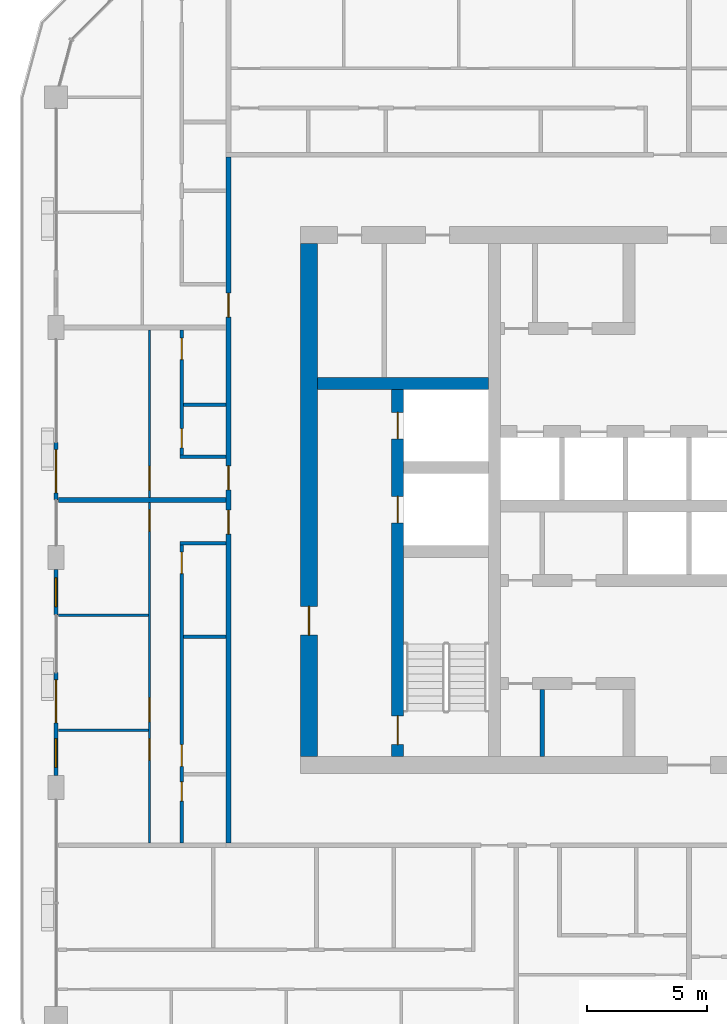
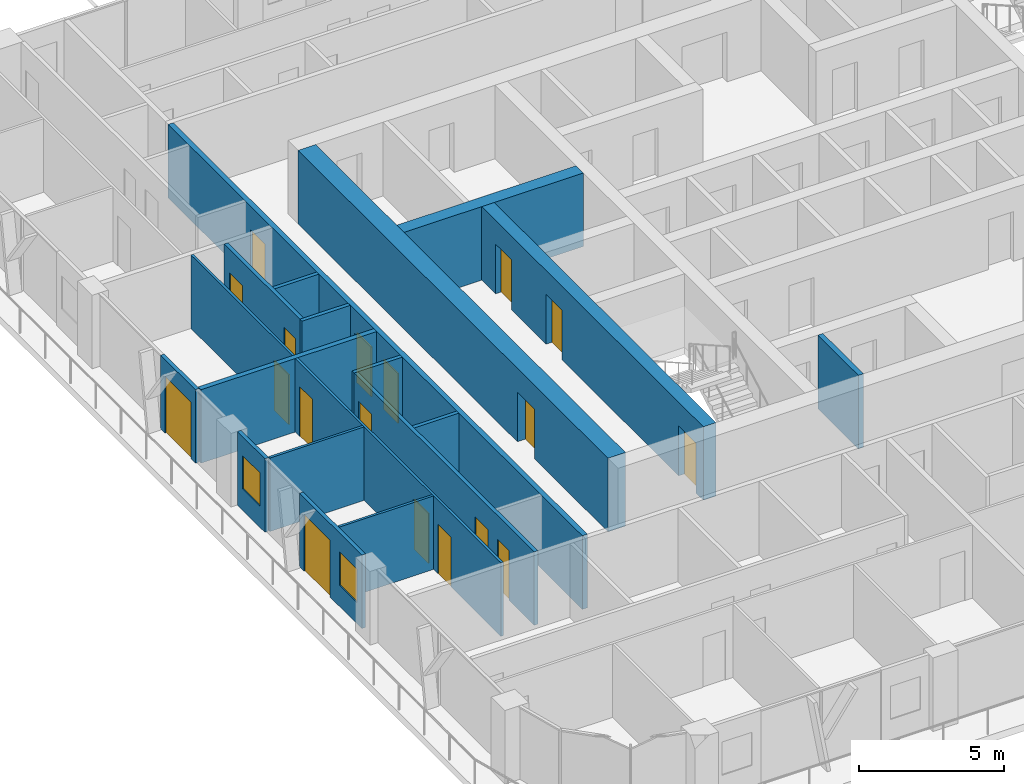
# One storey, part 10 of 22: 19 walls, 18 doors, 2 windows, 20 openings.
"""IFC4 building model written with IfcOpenShell, lengths in metres."""

from ifc_helpers import new_model, si_unit, direction, frame, frame_2d, origin, place, context, subcontext, project, spatial, rectangle, extrude, material, layer, layer_set, type_object, element, fill, save


model = new_model("IFC4")

# Units and contexts
model_context = context("Model", 3, precision=1e-05, world=origin(), true_north=direction((0.0, 1.0)))
body_context = subcontext(model_context, "Body", "Model", "MODEL_VIEW")
ifc_project = project(units=[si_unit("LENGTHUNIT", "METRE"), si_unit("AREAUNIT", "SQUARE_METRE"), si_unit("VOLUMEUNIT", "CUBIC_METRE"), si_unit("PLANEANGLEUNIT", "RADIAN"), si_unit("MASSUNIT", "GRAM", prefix="KILO")], contexts=[model_context])

# Site, building, storey
site_placement = place(None, origin())
site = spatial("IfcSite", under=ifc_project, at=site_placement, CompositionType="ELEMENT")
building_placement = place(site_placement, origin())
building = spatial("IfcBuilding", under=site, at=building_placement, Name="Madar Terraces", CompositionType="ELEMENT")
storey_placement = place(building_placement, frame((0.0, 0.0, 199.89990234375)))
storey = spatial("IfcBuildingStorey", under=building, at=storey_placement, Name="L52", CompositionType="ELEMENT", Elevation=199.89990234375)

# Wall, openings, doors
ifc_material_1 = material(Name="Concrete C60/75", Category="concrete")
ifc_layer_1 = layer(ifc_material_1, 0.5)
ifc_layer_set_1 = layer_set([ifc_layer_1], Name="Concrete C60/75 (CIW4 RC wall 500)")
wall_type_1 = type_object("IfcWallType", Name="CIW4 RC wall 500", PredefinedType="SHEAR", material=ifc_layer_set_1)
wall_1_placement = place(storey_placement, frame((19.050048828125, 15.699951171875, 0.0), z_axis=(0.0, 0.0, 1.0), x_axis=(0.0, 1.0, 0.0)))
wall_1 = element("IfcWall", 1, at=wall_1_placement, inside=storey, type_object=wall_type_1, Name="CORE SHAFT WALL", PredefinedType="SHEAR", context=body_context, shape_type="SweptSolid", body=[
    extrude(rectangle(XDim=15.300048828125, YDim=0.5, at=frame_2d((7.64990234375, 0.0))), origin(), (0.0, 0.0, 1.0), 3.10009765625),
])
opening_1_placement = place(wall_1_placement, frame((9.75, 0.0, 0.0)))
opening_1 = element("IfcOpeningElement", 2, at=opening_1_placement, cuts=wall_1, Name="Opening LD", PredefinedType="OPENING", context=body_context, shape_type="SweptSolid", body=[
    extrude(rectangle(XDim=1.10009765625, YDim=2.10009765625, at=frame_2d((0.550048828125, 1.050048828125))), frame((0.0, 0.260009765625, 0.0), z_axis=(0.0, -1.0, 0.0), x_axis=(1.0, 0.0, 0.0)), (0.0, 0.0, 1.0), 0.52001953125),
])
opening_2_placement = place(wall_1_placement, frame((13.25, 0.0, 0.0)))
opening_2 = element("IfcOpeningElement", 3, at=opening_2_placement, cuts=wall_1, Name="Opening LD", PredefinedType="OPENING", context=body_context, shape_type="SweptSolid", body=[
    extrude(rectangle(XDim=1.10009765625, YDim=2.10009765625, at=frame_2d((0.550048828125, 1.050048828125))), frame((0.0, 0.260009765625, 0.0), z_axis=(0.0, -1.0, 0.0), x_axis=(1.0, 0.0, 0.0)), (0.0, 0.0, 1.0), 0.52001953125),
])
opening_3_placement = place(wall_1_placement, frame((0.5, 0.0, 0.0)))
opening_3 = element("IfcOpeningElement", 4, at=opening_3_placement, cuts=wall_1, Name="Opening SD1", PredefinedType="OPENING", context=body_context, shape_type="SweptSolid", body=[
    extrude(rectangle(XDim=1.199951171875, YDim=2.10009765625, at=frame_2d((0.60009765625, 1.050048828125))), frame((0.0, 0.260009765625, 0.0), z_axis=(0.0, -1.0, 0.0), x_axis=(1.0, 0.0, 0.0)), (0.0, 0.0, 1.0), 0.52001953125),
])
ifc_material_2 = material(Name="Stainless steel panel", Category="steel")
door_type_1 = type_object("IfcDoorType", Name="Lift landing door 1100 x 2100", OperationType="DOUBLE_DOOR_SLIDING", PredefinedType="DOOR", material=ifc_material_2)
door_1_placement = place(opening_1_placement, origin())
door_1 = element("IfcDoor", 5, at=door_1_placement, inside=storey, type_object=door_type_1, Name="LIFT LANDING DOOR", OperationType="DOUBLE_DOOR_SLIDING", OverallHeight=2.10009765625, OverallWidth=1.10009765625, PredefinedType="DOOR", context=body_context, shape_type="SweptSolid", body=[
    extrude(rectangle(XDim=1.10009765625, YDim=2.10009765625, at=frame_2d((0.550048828125, 1.050048828125))), frame((0.0, 0.02490234375, 0.0), z_axis=(0.0, -1.0, 0.0), x_axis=(1.0, 0.0, 0.0)), (0.0, 0.0, 1.0), 0.050048828125),
])
fill(opening_1, door_1)
door_2_placement = place(opening_2_placement, origin())
door_2 = element("IfcDoor", 6, at=door_2_placement, inside=storey, type_object=door_type_1, Name="LIFT LANDING DOOR", OperationType="DOUBLE_DOOR_SLIDING", OverallHeight=2.10009765625, OverallWidth=1.10009765625, PredefinedType="DOOR", context=body_context, shape_type="SweptSolid", body=[
    extrude(rectangle(XDim=1.10009765625, YDim=2.10009765625, at=frame_2d((0.550048828125, 1.050048828125))), frame((0.0, 0.02490234375, 0.0), z_axis=(0.0, -1.0, 0.0), x_axis=(1.0, 0.0, 0.0)), (0.0, 0.0, 1.0), 0.050048828125),
])
fill(opening_2, door_2)
ifc_material_3 = material(Name="Steel door leaf", Category="steel")
door_type_2 = type_object("IfcDoorType", Name="Stair door 1200 x 2100", OperationType="NOTDEFINED", PredefinedType="DOOR", material=ifc_material_3)
door_3_placement = place(opening_3_placement, frame((1.199951171875, 0.0, 0.0), z_axis=(0.0, 0.0, 1.0), x_axis=(-1.0, 0.0, 0.0)))
door_3 = element("IfcDoor", 7, at=door_3_placement, inside=storey, type_object=door_type_2, Name="STAIR DOOR", OperationType="SINGLE_SWING_RIGHT", OverallHeight=2.10009765625, OverallWidth=1.199951171875, PredefinedType="DOOR", context=body_context, shape_type="SweptSolid", body=[
    extrude(rectangle(XDim=1.199951171875, YDim=2.10009765625, at=frame_2d((0.60009765625, 1.050048828125))), frame((0.0, 0.02490234375, 0.0), z_axis=(0.0, -1.0, 0.0), x_axis=(1.0, 0.0, 0.0)), (0.0, 0.0, 1.0), 0.050048828125),
])
fill(opening_3, door_3)

# Wall
wall_2_placement = place(storey_placement, frame((15.699951171875, 31.25, 0.0), z_axis=(0.0, 0.0, 1.0), x_axis=(1.0, 0.0, 0.0)))
element("IfcWall", 8, at=wall_2_placement, inside=storey, type_object=wall_type_1, Name="CORE SHAFT WALL", PredefinedType="SHEAR", context=body_context, shape_type="SweptSolid", body=[
    extrude(rectangle(XDim=7.150146484375, YDim=0.5, at=frame_2d((3.5751953125, 0.0))), origin(), (0.0, 0.0, 1.0), 3.10009765625),
])

# Wall, opening, door
ifc_material_4 = material(Name="Concrete C60/75", Category="concrete")
ifc_layer_2 = layer(ifc_material_4, 0.699951171875)
ifc_layer_set_2 = layer_set([ifc_layer_2], Name="Concrete C60/75 (CRW4 RC wall 700)")
wall_type_2 = type_object("IfcWallType", Name="CRW4 RC wall 700", PredefinedType="SHEAR", material=ifc_layer_set_2)
wall_3_placement = place(storey_placement, frame((15.35009765625, 15.699951171875, 0.0), z_axis=(0.0, 0.0, 1.0), x_axis=(0.0, 1.0, 0.0)))
wall_3 = element("IfcWall", 9, at=wall_3_placement, inside=storey, type_object=wall_type_2, Name="CORE OUTER WALL", PredefinedType="SHEAR", context=body_context, shape_type="SweptSolid", body=[
    extrude(rectangle(XDim=21.400146484375, YDim=0.699951171875, at=frame_2d((10.7001953125, 0.0))), origin(), (0.0, 0.0, 1.0), 3.10009765625),
])
opening_4_placement = place(wall_3_placement, frame((5.06005859375, 0.0, 0.0)))
opening_4 = element("IfcOpeningElement", 10, at=opening_4_placement, cuts=wall_3, Name="Opening SD1", PredefinedType="OPENING", context=body_context, shape_type="SweptSolid", body=[
    extrude(rectangle(XDim=1.199951171875, YDim=2.10009765625, at=frame_2d((0.60009765625, 1.050048828125))), frame((0.0, 0.35986328125, 0.0), z_axis=(0.0, -1.0, 0.0), x_axis=(1.0, 0.0, 0.0)), (0.0, 0.0, 1.0), 0.719970703125),
])
door_4_placement = place(opening_4_placement, frame((1.199951171875, 0.0, 0.0), z_axis=(0.0, 0.0, 1.0), x_axis=(-1.0, 0.0, 0.0)))
door_4 = element("IfcDoor", 11, at=door_4_placement, inside=storey, type_object=door_type_2, Name="STAIR DOOR", OperationType="SINGLE_SWING_LEFT", OverallHeight=2.10009765625, OverallWidth=1.199951171875, PredefinedType="DOOR", context=body_context, shape_type="SweptSolid", body=[
    extrude(rectangle(XDim=1.199951171875, YDim=2.10009765625, at=frame_2d((0.60009765625, 1.050048828125))), frame((0.0, 0.02490234375, 0.0), z_axis=(0.0, -1.0, 0.0), x_axis=(1.0, 0.0, 0.0)), (0.0, 0.0, 1.0), 0.050048828125),
])
fill(opening_4, door_4)

# Wall
ifc_material_5 = material(Name="Masonry blockwork", Category="masonry")
ifc_layer_3 = layer(ifc_material_5, 0.199951171875)
ifc_layer_set_3 = layer_set([ifc_layer_3], Name="Core partition 200 blockwork")
wall_type_3 = type_object("IfcWallType", Name="Core partition 200 blockwork", PredefinedType="PARTITIONING", material=ifc_layer_set_3)
wall_4_placement = place(storey_placement, frame((25.083984375, 15.699951171875, 0.0), z_axis=(0.0, 0.0, 1.0), x_axis=(0.0, 1.0, 0.0)))
element("IfcWall", 12, at=wall_4_placement, inside=storey, type_object=wall_type_3, Name="SERVICE ROOM PARTITION", PredefinedType="PARTITIONING", context=body_context, shape_type="SweptSolid", body=[
    extrude(rectangle(XDim=2.800048828125, YDim=0.199951171875, at=frame_2d((1.39990234375, 0.0))), origin(), (0.0, 0.0, 1.0), 3.10009765625),
])

# Wall, opening, door
ifc_material_6 = material(Name="Aluminium composite panel, black, over insulated backing", Category="aluminium")
ifc_layer_4 = layer(ifc_material_6, 0.14990234375)
ifc_layer_set_4 = layer_set([ifc_layer_4], Name="Facade bay panel 150")
wall_type_4 = type_object("IfcWallType", Name="Facade bay panel 150", PredefinedType="SOLIDWALL", material=ifc_layer_set_4)
wall_5_placement = place(storey_placement, frame((4.800048828125, 28.800048828125, 0.0), z_axis=(0.0, 0.0, 1.0), x_axis=(0.0, -1.0, 0.0)))
wall_5 = element("IfcWall", 13, at=wall_5_placement, inside=storey, type_object=wall_type_4, Name="Facade bay panel", PredefinedType="SOLIDWALL", context=body_context, shape_type="SweptSolid", body=[
    extrude(rectangle(XDim=2.400146484375, YDim=0.14990234375, at=frame_2d((1.2001953125, 0.0))), origin(), (0.0, 0.0, 1.0), 3.10009765625),
])
opening_5_placement = place(wall_5_placement, frame((0.300048828125, 0.0, 0.0)))
opening_5 = element("IfcOpeningElement", 14, at=opening_5_placement, cuts=wall_5, Name="Opening ED1", PredefinedType="OPENING", context=body_context, shape_type="SweptSolid", body=[
    extrude(rectangle(XDim=1.800048828125, YDim=2.39990234375, at=frame_2d((0.89990234375, 1.199951171875))), frame((0.0, 0.0849609375, 0.0), z_axis=(0.0, -1.0, 0.0), x_axis=(1.0, 0.0, 0.0)), (0.0, 0.0, 1.0), 0.169921875),
])
ifc_material_7 = material(Name="Glass, clear, with black aluminium frame", Category="aluminium")
door_type_3 = type_object("IfcDoorType", Name="Balcony and terrace sliding door 1800 x 2400", OperationType="SLIDING_TO_LEFT", PredefinedType="DOOR", material=ifc_material_7)
door_5_placement = place(opening_5_placement, origin())
door_5 = element("IfcDoor", 15, at=door_5_placement, inside=storey, type_object=door_type_3, Name="Balcony door", OperationType="SLIDING_TO_LEFT", OverallHeight=2.39990234375, OverallWidth=1.800048828125, PredefinedType="DOOR", context=body_context, shape_type="SweptSolid", body=[
    extrude(rectangle(XDim=1.800048828125, YDim=2.39990234375, at=frame_2d((0.89990234375, 1.199951171875))), frame((0.0, 0.02490234375, 0.0), z_axis=(0.0, -1.0, 0.0), x_axis=(1.0, 0.0, 0.0)), (0.0, 0.0, 1.0), 0.050048828125),
])
fill(opening_5, door_5)

# Wall, opening, window
wall_6_placement = place(storey_placement, frame((4.800048828125, 23.5, 0.0), z_axis=(0.0, 0.0, 1.0), x_axis=(0.0, -1.0, 0.0)))
wall_6 = element("IfcWall", 16, at=wall_6_placement, inside=storey, type_object=wall_type_4, Name="Facade bay panel", PredefinedType="SOLIDWALL", context=body_context, shape_type="SweptSolid", body=[
    extrude(rectangle(XDim=1.89990234375, YDim=0.14990234375, at=frame_2d((0.949951171875, 0.0))), origin(), (0.0, 0.0, 1.0), 3.10009765625),
])
opening_6_placement = place(wall_6_placement, frame((0.35009765625, 0.0, 0.89990234375)))
opening_6 = element("IfcOpeningElement", 17, at=opening_6_placement, cuts=wall_6, Name="Opening W1", PredefinedType="OPENING", context=body_context, shape_type="SweptSolid", body=[
    extrude(rectangle(XDim=1.199951171875, YDim=1.39990234375, at=frame_2d((0.60009765625, 0.699951171875))), frame((0.0, 0.0849609375, 0.0), z_axis=(0.0, -1.0, 0.0), x_axis=(1.0, 0.0, 0.0)), (0.0, 0.0, 1.0), 0.169921875),
])
ifc_material_8 = material(Name="Glass, clear, with black aluminium frame", Category="aluminium")
window_type = type_object("IfcWindowType", Name="Vent window 1200 x 1400", PartitioningType="SINGLE_PANEL", PredefinedType="WINDOW", material=ifc_material_8)
window_1_placement = place(opening_6_placement, origin())
window_1 = element("IfcWindow", 18, at=window_1_placement, inside=storey, type_object=window_type, Name="Operable vent window", OverallHeight=1.39990234375, OverallWidth=1.199951171875, PartitioningType="SINGLE_PANEL", PredefinedType="WINDOW", context=body_context, shape_type="SweptSolid", body=[
    extrude(rectangle(XDim=1.199951171875, YDim=1.39990234375, at=frame_2d((0.60009765625, 0.699951171875))), frame((0.0, 0.030029296875, 0.0), z_axis=(0.0, -1.0, 0.0), x_axis=(1.0, 0.0, 0.0)), (0.0, 0.0, 1.0), 0.06005859375),
])
fill(opening_6, window_1)

# Wall, openings, door, window
wall_7_placement = place(storey_placement, frame((4.800048828125, 19.199951171875, 0.0), z_axis=(0.0, 0.0, 1.0), x_axis=(0.0, -1.0, 0.0)))
wall_7 = element("IfcWall", 19, at=wall_7_placement, inside=storey, type_object=wall_type_4, Name="Facade bay panel", PredefinedType="SOLIDWALL", context=body_context, shape_type="SweptSolid", body=[
    extrude(rectangle(XDim=4.300048828125, YDim=0.14990234375, at=frame_2d((2.14990234375, 0.0))), origin(), (0.0, 0.0, 1.0), 3.10009765625),
])
opening_7_placement = place(wall_7_placement, frame((0.300048828125, 0.0, 0.0)))
opening_7 = element("IfcOpeningElement", 20, at=opening_7_placement, cuts=wall_7, Name="Opening ED1", PredefinedType="OPENING", context=body_context, shape_type="SweptSolid", body=[
    extrude(rectangle(XDim=1.800048828125, YDim=2.39990234375, at=frame_2d((0.89990234375, 1.199951171875))), frame((0.0, 0.0849609375, 0.0), z_axis=(0.0, -1.0, 0.0), x_axis=(1.0, 0.0, 0.0)), (0.0, 0.0, 1.0), 0.169921875),
])
opening_8_placement = place(wall_7_placement, frame((2.75, 0.0, 0.89990234375)))
opening_8 = element("IfcOpeningElement", 21, at=opening_8_placement, cuts=wall_7, Name="Opening W1", PredefinedType="OPENING", context=body_context, shape_type="SweptSolid", body=[
    extrude(rectangle(XDim=1.199951171875, YDim=1.39990234375, at=frame_2d((0.60009765625, 0.699951171875))), frame((0.0, 0.0849609375, 0.0), z_axis=(0.0, -1.0, 0.0), x_axis=(1.0, 0.0, 0.0)), (0.0, 0.0, 1.0), 0.169921875),
])
door_6_placement = place(opening_7_placement, origin())
door_6 = element("IfcDoor", 22, at=door_6_placement, inside=storey, type_object=door_type_3, Name="Balcony door", OperationType="SLIDING_TO_RIGHT", OverallHeight=2.39990234375, OverallWidth=1.800048828125, PredefinedType="DOOR", context=body_context, shape_type="SweptSolid", body=[
    extrude(rectangle(XDim=1.800048828125, YDim=2.39990234375, at=frame_2d((0.89990234375, 1.199951171875))), frame((0.0, 0.02490234375, 0.0), z_axis=(0.0, -1.0, 0.0), x_axis=(1.0, 0.0, 0.0)), (0.0, 0.0, 1.0), 0.050048828125),
])
fill(opening_7, door_6)
window_2_placement = place(opening_8_placement, origin())
window_2 = element("IfcWindow", 23, at=window_2_placement, inside=storey, type_object=window_type, Name="Operable vent window", OverallHeight=1.39990234375, OverallWidth=1.199951171875, PartitioningType="SINGLE_PANEL", PredefinedType="WINDOW", context=body_context, shape_type="SweptSolid", body=[
    extrude(rectangle(XDim=1.199951171875, YDim=1.39990234375, at=frame_2d((0.60009765625, 0.699951171875))), frame((0.0, 0.030029296875, 0.0), z_axis=(0.0, -1.0, 0.0), x_axis=(1.0, 0.0, 0.0)), (0.0, 0.0, 1.0), 0.06005859375),
])
fill(opening_8, window_2)

# Wall, opening, door
ifc_material_9 = material(Name="Gypsum board on steel studs", Category="steel")
ifc_layer_5 = layer(ifc_material_9, 0.10009765625)
ifc_layer_set_5 = layer_set([ifc_layer_5], Name="Flat partition 100")
wall_type_5 = type_object("IfcWallType", Name="Flat partition 100", PredefinedType="PARTITIONING", material=ifc_layer_set_5)
wall_8_placement = place(storey_placement, frame((8.699951171875, 26.5, 0.0), z_axis=(0.0, 0.0, 1.0), x_axis=(0.0, 1.0, 0.0)))
wall_8 = element("IfcWall", 24, at=wall_8_placement, inside=storey, type_object=wall_type_5, Name="Flat partition 100", PredefinedType="PARTITIONING", context=body_context, shape_type="SweptSolid", body=[
    extrude(rectangle(XDim=7.0, YDim=0.10009765625, at=frame_2d((3.5, 0.0))), origin(), (0.0, 0.0, 1.0), 3.10009765625),
])
opening_9_placement = place(wall_8_placement, frame((0.300048828125, 0.0, 0.0)))
opening_9 = element("IfcOpeningElement", 25, at=opening_9_placement, cuts=wall_8, Name="Opening D3", PredefinedType="OPENING", context=body_context, shape_type="SweptSolid", body=[
    extrude(rectangle(XDim=1.0, YDim=2.10009765625, at=frame_2d((0.5, 1.050048828125))), frame((0.0, 0.06005859375, 0.0), z_axis=(0.0, -1.0, 0.0), x_axis=(1.0, 0.0, 0.0)), (0.0, 0.0, 1.0), 0.1201171875),
])
ifc_material_10 = material(Name="Timber door leaf", Category="wood")
door_type_4 = type_object("IfcDoorType", Name="Flat living room door 1000", OperationType="NOTDEFINED", PredefinedType="DOOR", material=ifc_material_10)
door_7_placement = place(opening_9_placement, origin())
door_7 = element("IfcDoor", 26, at=door_7_placement, inside=storey, type_object=door_type_4, Name="Flat living room door 1000", OperationType="SINGLE_SWING_LEFT", OverallHeight=2.10009765625, OverallWidth=1.0, PredefinedType="DOOR", context=body_context, shape_type="SweptSolid", body=[
    extrude(rectangle(XDim=1.0, YDim=2.10009765625, at=frame_2d((0.5, 1.050048828125))), frame((0.0, 0.02490234375, 0.0), z_axis=(0.0, -1.0, 0.0), x_axis=(1.0, 0.0, 0.0)), (0.0, 0.0, 1.0), 0.050048828125),
])
fill(opening_9, door_7)

# Walls
for number, where, z_axis, x_axis, name in (
    (27, (8.64990234375, 21.60009765625, 0.0), (0.0, 0.0, 1.0), (-1.0, 0.0, 0.0), "Flat partition 100"),
    (28, (8.64990234375, 16.800048828125, 0.0), (0.0, 0.0, 1.0), (-1.0, 0.0, 0.0), "Flat partition 100"),
):
    element("IfcWall", number, at=place(storey_placement, frame(where, z_axis=z_axis, x_axis=x_axis)), inside=storey, type_object=wall_type_5, Name=name, PredefinedType="PARTITIONING", context=body_context, shape_type="SweptSolid", body=[
        extrude(rectangle(XDim=3.75, YDim=0.10009765625, at=frame_2d((1.875, 0.0))), origin(), (0.0, 0.0, 1.0), 3.10009765625),
    ])

# Wall, openings, doors
wall_9_placement = place(storey_placement, frame((8.699951171875, 12.10009765625, 0.0), z_axis=(0.0, 0.0, 1.0), x_axis=(0.0, 1.0, 0.0)))
wall_9 = element("IfcWall", 29, at=wall_9_placement, inside=storey, type_object=wall_type_5, Name="Flat partition 100", PredefinedType="PARTITIONING", context=body_context, shape_type="SweptSolid", body=[
    extrude(rectangle(XDim=14.199951171875, YDim=0.10009765625, at=frame_2d((7.10009765625, 0.0))), origin(), (0.0, 0.0, 1.0), 3.10009765625),
])
opening_10_placement = place(wall_9_placement, frame((13.0, 0.0, 0.0)))
opening_10 = element("IfcOpeningElement", 30, at=opening_10_placement, cuts=wall_9, Name="Opening D2", PredefinedType="OPENING", context=body_context, shape_type="SweptSolid", body=[
    extrude(rectangle(XDim=0.89990234375, YDim=2.10009765625, at=frame_2d((0.449951171875, 1.050048828125))), frame((0.0, 0.06005859375, 0.0), z_axis=(0.0, -1.0, 0.0), x_axis=(1.0, 0.0, 0.0)), (0.0, 0.0, 1.0), 0.1201171875),
])
opening_11_placement = place(wall_9_placement, frame((5.050048828125, 0.0, 0.0)))
opening_11 = element("IfcOpeningElement", 31, at=opening_11_placement, cuts=wall_9, Name="Opening D3", PredefinedType="OPENING", context=body_context, shape_type="SweptSolid", body=[
    extrude(rectangle(XDim=1.0, YDim=2.10009765625, at=frame_2d((0.5, 1.050048828125))), frame((0.0, 0.06005859375, 0.0), z_axis=(0.0, -1.0, 0.0), x_axis=(1.0, 0.0, 0.0)), (0.0, 0.0, 1.0), 0.1201171875),
])
opening_12_placement = place(wall_9_placement, frame((3.449951171875, 0.0, 0.0)))
opening_12 = element("IfcOpeningElement", 32, at=opening_12_placement, cuts=wall_9, Name="Opening D2", PredefinedType="OPENING", context=body_context, shape_type="SweptSolid", body=[
    extrude(rectangle(XDim=0.89990234375, YDim=2.10009765625, at=frame_2d((0.449951171875, 1.050048828125))), frame((0.0, 0.06005859375, 0.0), z_axis=(0.0, -1.0, 0.0), x_axis=(1.0, 0.0, 0.0)), (0.0, 0.0, 1.0), 0.1201171875),
])
door_8_placement = place(opening_11_placement, origin())
door_8 = element("IfcDoor", 33, at=door_8_placement, inside=storey, type_object=door_type_4, Name="Flat living room door 1000", OperationType="SINGLE_SWING_LEFT", OverallHeight=2.10009765625, OverallWidth=1.0, PredefinedType="DOOR", context=body_context, shape_type="SweptSolid", body=[
    extrude(rectangle(XDim=1.0, YDim=2.10009765625, at=frame_2d((0.5, 1.050048828125))), frame((0.0, 0.02490234375, 0.0), z_axis=(0.0, -1.0, 0.0), x_axis=(1.0, 0.0, 0.0)), (0.0, 0.0, 1.0), 0.050048828125),
])
fill(opening_11, door_8)
ifc_material_11 = material(Name="Timber door leaf", Category="wood")
door_type_5 = type_object("IfcDoorType", Name="Flat room door 900", OperationType="NOTDEFINED", PredefinedType="DOOR", material=ifc_material_11)
door_9_placement = place(opening_10_placement, origin())
door_9 = element("IfcDoor", 34, at=door_9_placement, inside=storey, type_object=door_type_5, Name="Flat room door 900", OperationType="SINGLE_SWING_RIGHT", OverallHeight=2.10009765625, OverallWidth=0.89990234375, PredefinedType="DOOR", context=body_context, shape_type="SweptSolid", body=[
    extrude(rectangle(XDim=0.89990234375, YDim=2.10009765625, at=frame_2d((0.449951171875, 1.050048828125))), frame((0.0, 0.02490234375, 0.0), z_axis=(0.0, -1.0, 0.0), x_axis=(1.0, 0.0, 0.0)), (0.0, 0.0, 1.0), 0.050048828125),
])
fill(opening_10, door_9)
door_10_placement = place(opening_12_placement, origin())
door_10 = element("IfcDoor", 35, at=door_10_placement, inside=storey, type_object=door_type_5, Name="Flat room door 900", OperationType="SINGLE_SWING_RIGHT", OverallHeight=2.10009765625, OverallWidth=0.89990234375, PredefinedType="DOOR", context=body_context, shape_type="SweptSolid", body=[
    extrude(rectangle(XDim=0.89990234375, YDim=2.10009765625, at=frame_2d((0.449951171875, 1.050048828125))), frame((0.0, 0.02490234375, 0.0), z_axis=(0.0, -1.0, 0.0), x_axis=(1.0, 0.0, 0.0)), (0.0, 0.0, 1.0), 0.050048828125),
])
fill(opening_12, door_10)

ifc_material_12 = material(Name="Lightweight blockwork", Category="masonry")
ifc_layer_6 = layer(ifc_material_12, 0.199951171875)
ifc_layer_set_6 = layer_set([ifc_layer_6], Name="Flat party and entrance wall 200")
wall_type_6 = type_object("IfcWallType", Name="Flat party and entrance wall 200", PredefinedType="PARTITIONING", material=ifc_layer_set_6)
wall_10_placement = place(storey_placement, frame((12.0, 12.10009765625, 0.0), z_axis=(0.0, 0.0, 1.0), x_axis=(0.0, 1.0, 0.0)))
wall_10 = element("IfcWall", 36, at=wall_10_placement, inside=storey, type_object=wall_type_6, Name="Flat party and entrance wall 200", PredefinedType="PARTITIONING", context=body_context, shape_type="SweptSolid", body=[
    extrude(rectangle(XDim=28.599853515625, YDim=0.199951171875, at=frame_2d((14.2998046875, 0.0))), origin(), (0.0, 0.0, 1.0), 3.10009765625),
])
opening_13_placement = place(wall_10_placement, frame((21.925048828125, 0.0, 0.0)))
opening_13 = element("IfcOpeningElement", 37, at=opening_13_placement, cuts=wall_10, Name="Opening D1", PredefinedType="OPENING", context=body_context, shape_type="SweptSolid", body=[
    extrude(rectangle(XDim=1.0, YDim=2.10009765625, at=frame_2d((0.5, 1.050048828125))), frame((0.0, 0.10986328125, 0.0), z_axis=(0.0, -1.0, 0.0), x_axis=(1.0, 0.0, 0.0)), (0.0, 0.0, 1.0), 0.219970703125),
])
opening_14_placement = place(wall_10_placement, frame((14.72509765625, 0.0, 0.0)))
opening_14 = element("IfcOpeningElement", 38, at=opening_14_placement, cuts=wall_10, Name="Opening D1", PredefinedType="OPENING", context=body_context, shape_type="SweptSolid", body=[
    extrude(rectangle(XDim=1.0, YDim=2.10009765625, at=frame_2d((0.5, 1.050048828125))), frame((0.0, 0.10986328125, 0.0), z_axis=(0.0, -1.0, 0.0), x_axis=(1.0, 0.0, 0.0)), (0.0, 0.0, 1.0), 0.219970703125),
])
opening_15_placement = place(wall_10_placement, frame((12.875, 0.0, 0.0)))
opening_15 = element("IfcOpeningElement", 39, at=opening_15_placement, cuts=wall_10, Name="Opening D1", PredefinedType="OPENING", context=body_context, shape_type="SweptSolid", body=[
    extrude(rectangle(XDim=1.0, YDim=2.10009765625, at=frame_2d((0.5, 1.050048828125))), frame((0.0, 0.10986328125, 0.0), z_axis=(0.0, -1.0, 0.0), x_axis=(1.0, 0.0, 0.0)), (0.0, 0.0, 1.0), 0.219970703125),
])
ifc_material_13 = material(Name="Timber fire door leaf", Category="wood")
door_type_6 = type_object("IfcDoorType", Name="Flat entrance door 1000 FD30S", OperationType="NOTDEFINED", PredefinedType="DOOR", material=ifc_material_13)
door_11_placement = place(opening_13_placement, origin())
door_11 = element("IfcDoor", 40, at=door_11_placement, inside=storey, type_object=door_type_6, Name="Flat entrance door 1000 FD30S", OperationType="SINGLE_SWING_LEFT", OverallHeight=2.10009765625, OverallWidth=1.0, PredefinedType="DOOR", context=body_context, shape_type="SweptSolid", body=[
    extrude(rectangle(XDim=1.0, YDim=2.10009765625, at=frame_2d((0.5, 1.050048828125))), frame((0.0, 0.02490234375, 0.0), z_axis=(0.0, -1.0, 0.0), x_axis=(1.0, 0.0, 0.0)), (0.0, 0.0, 1.0), 0.050048828125),
])
fill(opening_13, door_11)
door_12_placement = place(opening_14_placement, origin())
door_12 = element("IfcDoor", 41, at=door_12_placement, inside=storey, type_object=door_type_6, Name="Flat entrance door 1000 FD30S", OperationType="SINGLE_SWING_LEFT", OverallHeight=2.10009765625, OverallWidth=1.0, PredefinedType="DOOR", context=body_context, shape_type="SweptSolid", body=[
    extrude(rectangle(XDim=1.0, YDim=2.10009765625, at=frame_2d((0.5, 1.050048828125))), frame((0.0, 0.02490234375, 0.0), z_axis=(0.0, -1.0, 0.0), x_axis=(1.0, 0.0, 0.0)), (0.0, 0.0, 1.0), 0.050048828125),
])
fill(opening_14, door_12)
door_13_placement = place(opening_15_placement, origin())
door_13 = element("IfcDoor", 42, at=door_13_placement, inside=storey, type_object=door_type_6, Name="Flat entrance door 1000 FD30S", OperationType="SINGLE_SWING_RIGHT", OverallHeight=2.10009765625, OverallWidth=1.0, PredefinedType="DOOR", context=body_context, shape_type="SweptSolid", body=[
    extrude(rectangle(XDim=1.0, YDim=2.10009765625, at=frame_2d((0.5, 1.050048828125))), frame((0.0, 0.02490234375, 0.0), z_axis=(0.0, -1.0, 0.0), x_axis=(1.0, 0.0, 0.0)), (0.0, 0.0, 1.0), 0.050048828125),
])
fill(opening_15, door_13)

# Walls
wall_11_placement = place(storey_placement, frame((4.89990234375, 26.39990234375, 0.0), z_axis=(0.0, 0.0, 1.0), x_axis=(1.0, 0.0, 0.0)))
element("IfcWall", 43, at=wall_11_placement, inside=storey, type_object=wall_type_6, Name="Flat party and entrance wall 200", PredefinedType="PARTITIONING", context=body_context, shape_type="SweptSolid", body=[
    extrude(rectangle(XDim=7.0, YDim=0.199951171875, at=frame_2d((3.5, 0.0))), origin(), (0.0, 0.0, 1.0), 3.10009765625),
])
ifc_material_14 = material(Name="Lightweight blockwork", Category="masonry")
ifc_layer_7 = layer(ifc_material_14, 0.14990234375)
ifc_layer_set_7 = layer_set([ifc_layer_7], Name="Flat wet-room partition 150")
wall_type_7 = type_object("IfcWallType", Name="Flat wet-room partition 150", PredefinedType="PARTITIONING", material=ifc_layer_set_7)
wall_12_placement = place(storey_placement, frame((11.89990234375, 30.364990234375, 0.0), z_axis=(0.0, 0.0, 1.0), x_axis=(-1.0, 0.0, 0.0)))
element("IfcWall", 44, at=wall_12_placement, inside=storey, type_object=wall_type_7, Name="Flat wet-room partition 150", PredefinedType="PARTITIONING", context=body_context, shape_type="SweptSolid", body=[
    extrude(rectangle(XDim=1.77490234375, YDim=0.14990234375, at=frame_2d((0.887451171875, 0.0))), origin(), (0.0, 0.0, 1.0), 3.10009765625),
])
wall_13_placement = place(storey_placement, frame((11.89990234375, 28.199951171875, 0.0), z_axis=(0.0, 0.0, 1.0), x_axis=(-1.0, 0.0, 0.0)))
element("IfcWall", 45, at=wall_13_placement, inside=storey, type_object=wall_type_7, Name="Flat wet-room partition 150", PredefinedType="PARTITIONING", context=body_context, shape_type="SweptSolid", body=[
    extrude(rectangle(XDim=1.9248046875, YDim=0.14990234375, at=frame_2d((0.96240234375, 0.0))), origin(), (0.0, 0.0, 1.0), 3.10009765625),
])

# Wall, openings, doors
wall_14_placement = place(storey_placement, frame((10.050048828125, 33.5, 0.0), z_axis=(0.0, 0.0, 1.0), x_axis=(0.0, -1.0, 0.0)))
wall_14 = element("IfcWall", 46, at=wall_14_placement, inside=storey, type_object=wall_type_7, Name="Flat wet-room partition 150", PredefinedType="PARTITIONING", context=body_context, shape_type="SweptSolid", body=[
    extrude(rectangle(XDim=5.22509765625, YDim=0.14990234375, at=frame_2d((2.612548828125, 0.0))), origin(), (0.0, 0.0, 1.0), 3.10009765625),
])
opening_16_placement = place(wall_14_placement, frame((4.125, 0.0, 0.0)))
opening_16 = element("IfcOpeningElement", 47, at=opening_16_placement, cuts=wall_14, Name="Opening D4", PredefinedType="OPENING", context=body_context, shape_type="SweptSolid", body=[
    extrude(rectangle(XDim=0.800048828125, YDim=2.10009765625, at=frame_2d((0.39990234375, 1.050048828125))), frame((0.0, 0.0849609375, 0.0), z_axis=(0.0, -1.0, 0.0), x_axis=(1.0, 0.0, 0.0)), (0.0, 0.0, 1.0), 0.169921875),
])
opening_17_placement = place(wall_14_placement, frame((0.35009765625, 0.0, 0.0)))
opening_17 = element("IfcOpeningElement", 48, at=opening_17_placement, cuts=wall_14, Name="Opening D2", PredefinedType="OPENING", context=body_context, shape_type="SweptSolid", body=[
    extrude(rectangle(XDim=0.89990234375, YDim=2.10009765625, at=frame_2d((0.449951171875, 1.050048828125))), frame((0.0, 0.0849609375, 0.0), z_axis=(0.0, -1.0, 0.0), x_axis=(1.0, 0.0, 0.0)), (0.0, 0.0, 1.0), 0.169921875),
])
ifc_material_15 = material(Name="Timber door leaf", Category="wood")
door_type_7 = type_object("IfcDoorType", Name="Flat bathroom door 800", OperationType="NOTDEFINED", PredefinedType="DOOR", material=ifc_material_15)
door_14_placement = place(opening_16_placement, origin())
door_14 = element("IfcDoor", 49, at=door_14_placement, inside=storey, type_object=door_type_7, Name="Flat bathroom door 800", OperationType="SINGLE_SWING_RIGHT", OverallHeight=2.10009765625, OverallWidth=0.800048828125, PredefinedType="DOOR", context=body_context, shape_type="SweptSolid", body=[
    extrude(rectangle(XDim=0.800048828125, YDim=2.10009765625, at=frame_2d((0.39990234375, 1.050048828125))), frame((0.0, 0.02490234375, 0.0), z_axis=(0.0, -1.0, 0.0), x_axis=(1.0, 0.0, 0.0)), (0.0, 0.0, 1.0), 0.050048828125),
])
fill(opening_16, door_14)
door_15_placement = place(opening_17_placement, origin())
door_15 = element("IfcDoor", 50, at=door_15_placement, inside=storey, type_object=door_type_5, Name="Flat room door 900", OperationType="SINGLE_SWING_LEFT", OverallHeight=2.10009765625, OverallWidth=0.89990234375, PredefinedType="DOOR", context=body_context, shape_type="SweptSolid", body=[
    extrude(rectangle(XDim=0.89990234375, YDim=2.10009765625, at=frame_2d((0.449951171875, 1.050048828125))), frame((0.0, 0.02490234375, 0.0), z_axis=(0.0, -1.0, 0.0), x_axis=(1.0, 0.0, 0.0)), (0.0, 0.0, 1.0), 0.050048828125),
])
fill(opening_17, door_15)

# Walls
wall_15_placement = place(storey_placement, frame((11.89990234375, 20.701904296875, 0.0), z_axis=(0.0, 0.0, 1.0), x_axis=(-1.0, 0.0, 0.0)))
element("IfcWall", 51, at=wall_15_placement, inside=storey, type_object=wall_type_7, Name="Flat wet-room partition 150", PredefinedType="PARTITIONING", context=body_context, shape_type="SweptSolid", body=[
    extrude(rectangle(XDim=1.77490234375, YDim=0.14990234375, at=frame_2d((0.887451171875, 0.0))), origin(), (0.0, 0.0, 1.0), 3.10009765625),
])
wall_16_placement = place(storey_placement, frame((11.89990234375, 24.60009765625, 0.0), z_axis=(0.0, 0.0, 1.0), x_axis=(-1.0, 0.0, 0.0)))
element("IfcWall", 52, at=wall_16_placement, inside=storey, type_object=wall_type_7, Name="Flat wet-room partition 150", PredefinedType="PARTITIONING", context=body_context, shape_type="SweptSolid", body=[
    extrude(rectangle(XDim=1.9248046875, YDim=0.14990234375, at=frame_2d((0.96240234375, 0.0))), origin(), (0.0, 0.0, 1.0), 3.10009765625),
])

# Wall, openings, doors
wall_17_placement = place(storey_placement, frame((10.050048828125, 24.52490234375, 0.0), z_axis=(0.0, 0.0, 1.0), x_axis=(0.0, -1.0, 0.0)))
wall_17 = element("IfcWall", 53, at=wall_17_placement, inside=storey, type_object=wall_type_7, Name="Flat wet-room partition 150", PredefinedType="PARTITIONING", context=body_context, shape_type="SweptSolid", body=[
    extrude(rectangle(XDim=12.4248046875, YDim=0.14990234375, at=frame_2d((6.21240234375, 0.0))), origin(), (0.0, 0.0, 1.0), 3.10009765625),
])
opening_18_placement = place(wall_17_placement, frame((0.300048828125, 0.0, 0.0)))
opening_18 = element("IfcOpeningElement", 54, at=opening_18_placement, cuts=wall_17, Name="Opening D5", PredefinedType="OPENING", context=body_context, shape_type="SweptSolid", body=[
    extrude(rectangle(XDim=0.89990234375, YDim=2.10009765625, at=frame_2d((0.449951171875, 1.050048828125))), frame((0.0, 0.0849609375, 0.0), z_axis=(0.0, -1.0, 0.0), x_axis=(1.0, 0.0, 0.0)), (0.0, 0.0, 1.0), 0.169921875),
])
opening_19_placement = place(wall_17_placement, frame((8.332763671875, 0.0, 0.0)))
opening_19 = element("IfcOpeningElement", 55, at=opening_19_placement, cuts=wall_17, Name="Opening D2", PredefinedType="OPENING", context=body_context, shape_type="SweptSolid", body=[
    extrude(rectangle(XDim=0.89990234375, YDim=2.10009765625, at=frame_2d((0.449951171875, 1.050048828125))), frame((0.0, 0.0849609375, 0.0), z_axis=(0.0, -1.0, 0.0), x_axis=(1.0, 0.0, 0.0)), (0.0, 0.0, 1.0), 0.169921875),
])
opening_20_placement = place(wall_17_placement, frame((9.8828125, 0.0, 0.0)))
opening_20 = element("IfcOpeningElement", 56, at=opening_20_placement, cuts=wall_17, Name="Opening D4", PredefinedType="OPENING", context=body_context, shape_type="SweptSolid", body=[
    extrude(rectangle(XDim=0.800048828125, YDim=2.10009765625, at=frame_2d((0.39990234375, 1.050048828125))), frame((0.0, 0.0849609375, 0.0), z_axis=(0.0, -1.0, 0.0), x_axis=(1.0, 0.0, 0.0)), (0.0, 0.0, 1.0), 0.169921875),
])
ifc_material_16 = material(Name="Timber door leaf", Category="wood")
door_type_8 = type_object("IfcDoorType", Name="Flat accessible bathroom door 900", OperationType="NOTDEFINED", PredefinedType="DOOR", material=ifc_material_16)
door_16_placement = place(opening_18_placement, origin())
door_16 = element("IfcDoor", 57, at=door_16_placement, inside=storey, type_object=door_type_8, Name="Flat accessible bathroom door 900", OperationType="SINGLE_SWING_LEFT", OverallHeight=2.10009765625, OverallWidth=0.89990234375, PredefinedType="DOOR", context=body_context, shape_type="SweptSolid", body=[
    extrude(rectangle(XDim=0.89990234375, YDim=2.10009765625, at=frame_2d((0.449951171875, 1.050048828125))), frame((0.0, 0.02490234375, 0.0), z_axis=(0.0, -1.0, 0.0), x_axis=(1.0, 0.0, 0.0)), (0.0, 0.0, 1.0), 0.050048828125),
])
fill(opening_18, door_16)
door_17_placement = place(opening_20_placement, origin())
door_17 = element("IfcDoor", 58, at=door_17_placement, inside=storey, type_object=door_type_7, Name="Flat bathroom door 800", OperationType="SINGLE_SWING_LEFT", OverallHeight=2.10009765625, OverallWidth=0.800048828125, PredefinedType="DOOR", context=body_context, shape_type="SweptSolid", body=[
    extrude(rectangle(XDim=0.800048828125, YDim=2.10009765625, at=frame_2d((0.39990234375, 1.050048828125))), frame((0.0, 0.02490234375, 0.0), z_axis=(0.0, -1.0, 0.0), x_axis=(1.0, 0.0, 0.0)), (0.0, 0.0, 1.0), 0.050048828125),
])
fill(opening_20, door_17)
door_18_placement = place(opening_19_placement, origin())
door_18 = element("IfcDoor", 59, at=door_18_placement, inside=storey, type_object=door_type_5, Name="Flat room door 900", OperationType="SINGLE_SWING_RIGHT", OverallHeight=2.10009765625, OverallWidth=0.89990234375, PredefinedType="DOOR", context=body_context, shape_type="SweptSolid", body=[
    extrude(rectangle(XDim=0.89990234375, YDim=2.10009765625, at=frame_2d((0.449951171875, 1.050048828125))), frame((0.0, 0.02490234375, 0.0), z_axis=(0.0, -1.0, 0.0), x_axis=(1.0, 0.0, 0.0)), (0.0, 0.0, 1.0), 0.050048828125),
])
fill(opening_19, door_18)

save(model, "model.ifc")
